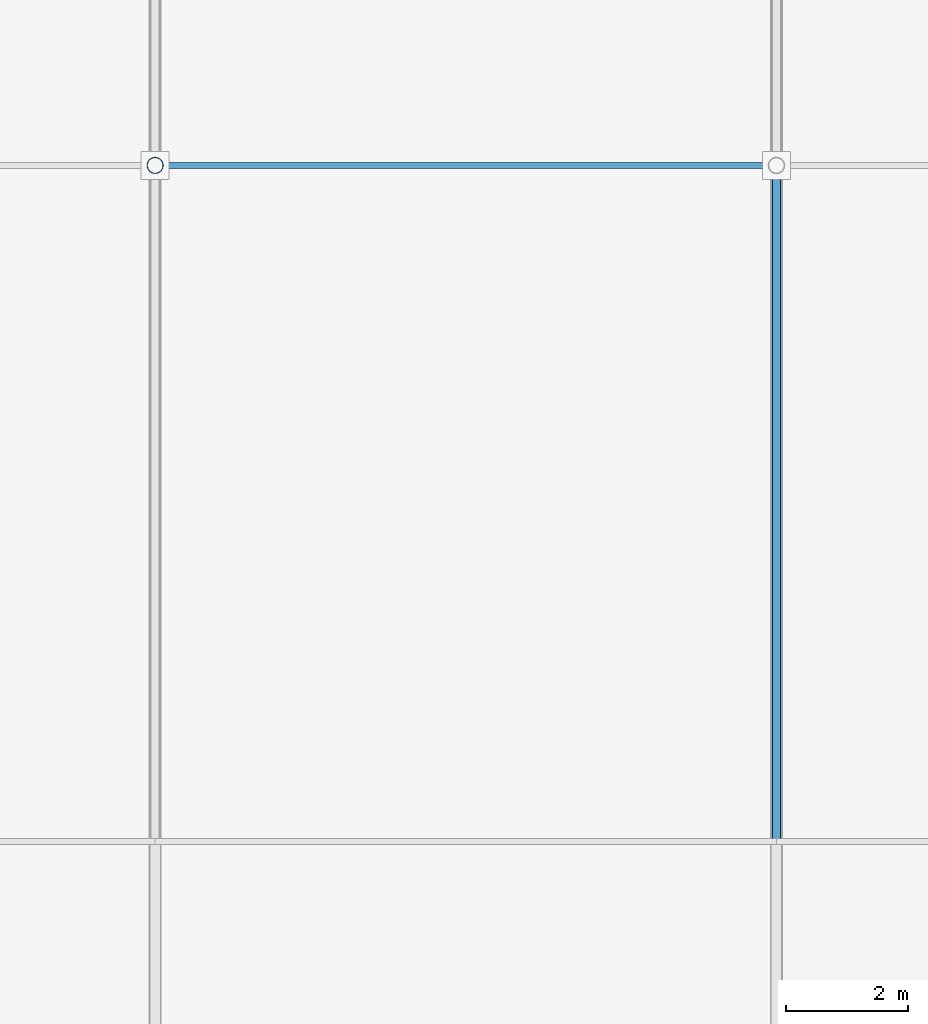
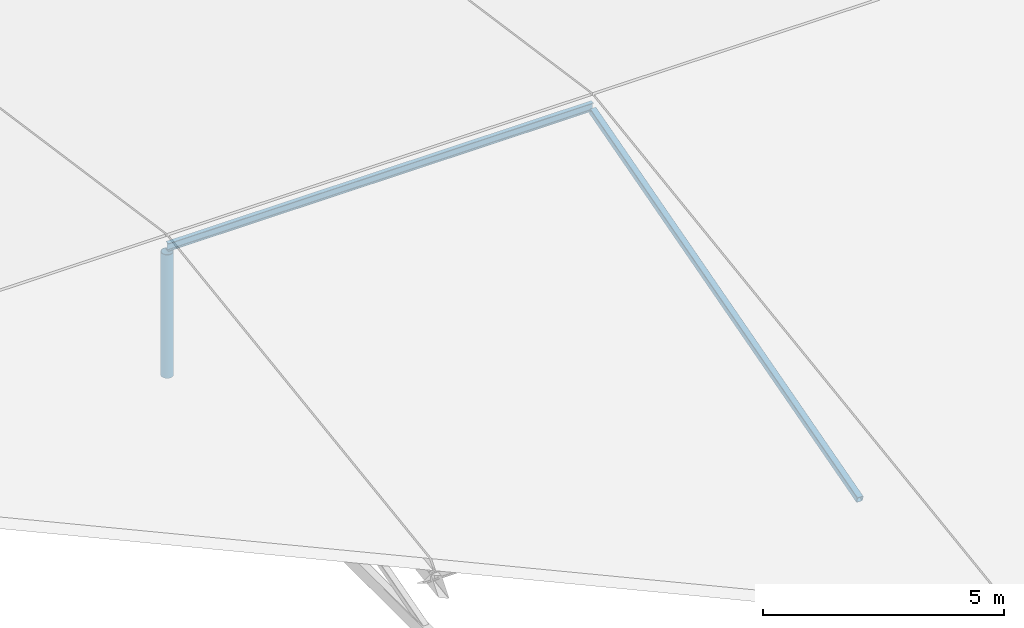
# One storey, part 85 of 135: 3 members.
"""IFC4 building model written with IfcOpenShell, lengths in metres."""

from ifc_helpers import new_model, si_unit, direction, frame, origin, origin_2d, place, context, subcontext, project, spatial, hollow_rectangle, hollow_circle, i_section, extrude, material, material_profile, profile_set, type_object, element, save


model = new_model("IFC4")

# Units and contexts
model_context = context("Model", 3, precision=1e-05, world=origin(), true_north=direction((0.0, 1.0)))
body_context = subcontext(model_context, "Body", "Model", "MODEL_VIEW")
ifc_project = project(units=[si_unit("LENGTHUNIT", "METRE"), si_unit("AREAUNIT", "SQUARE_METRE"), si_unit("VOLUMEUNIT", "CUBIC_METRE"), si_unit("PLANEANGLEUNIT", "RADIAN"), si_unit("MASSUNIT", "GRAM", prefix="KILO")], contexts=[model_context])

# Site, building, storey
site_placement = place(None, origin())
site = spatial("IfcSite", under=ifc_project, at=site_placement, CompositionType="ELEMENT")
building_placement = place(site_placement, origin())
building = spatial("IfcBuilding", under=site, at=building_placement, Name="Brelvane Convention Centre", CompositionType="ELEMENT")
storey_placement = place(building_placement, frame((0.0, 0.0, 15.0)))
storey = spatial("IfcBuildingStorey", under=building, at=storey_placement, Name="L03", CompositionType="ELEMENT", Elevation=15.0)

# Members
ifc_material_1 = material(Name="Steel E350 (350 MPa)", Category="steel")
ifc_material_profile_1 = material_profile(ifc_material_1, hollow_rectangle(XDim=0.14990234375, YDim=0.14990234375, WallThickness=0.008056640625, InnerFilletRadius=0.008056640625, OuterFilletRadius=0.01611328125, at=origin_2d()), Name="SHS 150x150x8.0")
ifc_profile_set_1 = profile_set([ifc_material_profile_1], Name="Steel E350 (350 MPa)")
member_type_1 = type_object("IfcMemberType", Name="Steel Brace TR-WB1 (SHS 150x150x8.0)", PredefinedType="BRACE", material=ifc_profile_set_1)
member_1_placement = place(storey_placement, frame((204.0, 110.699951171875, -0.35009765625), z_axis=(0.0, 0.96246484853, 0.271406365702), x_axis=(-1.0, 0.0, 0.0)))
element("IfcMember", 1, at=member_1_placement, inside=storey, type_object=member_type_1, Name="Ballroom Roof Truss Web 4-S", PredefinedType="BRACE", context=body_context, shape_type="SweptSolid", body=[
    extrude(hollow_rectangle(XDim=0.14990234375, YDim=0.14990234375, WallThickness=0.008056640625, InnerFilletRadius=0.008056640625, OuterFilletRadius=0.01611328125, at=origin_2d()), origin(), (0.0, 0.0, 1.0), 11.532958984375),
])
ifc_material_2 = material(Name="Steel E350 (350 MPa)", Category="steel")
ifc_material_profile_2 = material_profile(ifc_material_2, i_section(OverallWidth=0.10009765625, OverallDepth=0.199951171875, WebThickness=0.005615234375, FlangeThickness=0.0107421875, FilletRadius=0.010986328125, at=origin_2d()), Name="ISMB 200")
ifc_profile_set_2 = profile_set([ifc_material_profile_2], Name="Steel E350 (350 MPa)")
member_type_2 = type_object("IfcMemberType", Name="Steel Purlin PR-ST2 (ISMB 200)", PredefinedType="PURLIN", material=ifc_profile_set_2)
member_2_placement = place(storey_placement, frame((193.800048828125, 121.800048828125, 2.89990234375), z_axis=(1.0, 0.0, 0.0), x_axis=(0.0, 1.0, 0.0)))
element("IfcMember", 2, at=member_2_placement, inside=storey, type_object=member_type_2, Name="Ballroom Roof Purlin B3-P3", PredefinedType="PURLIN", context=body_context, shape_type="SweptSolid", body=[
    extrude(i_section(OverallWidth=0.10009765625, OverallDepth=0.199951171875, WebThickness=0.005615234375, FlangeThickness=0.0107421875, FilletRadius=0.010986328125, at=origin_2d()), origin(), (0.0, 0.0, 1.0), 10.199951171875),
])
ifc_material_3 = material(Name="Steel E350 (350 MPa)", Category="steel")
ifc_material_profile_3 = material_profile(ifc_material_3, hollow_circle(Radius=0.136474609375, WallThickness=0.012451171875, at=origin_2d()), Name="CHS 273.0x12.5")
ifc_profile_set_3 = profile_set([ifc_material_profile_3], Name="Steel E350 (350 MPa)")
member_type_3 = type_object("IfcMemberType", Name="Steel Strut SF-VT1 (CHS 273.0x12.5)", PredefinedType="STRUT", material=ifc_profile_set_3)
member_3_placement = place(storey_placement, frame((193.800048828125, 121.800048828125, -0.35009765625), z_axis=(0.0, 0.0, 1.0), x_axis=(1.0, 0.0, 0.0)))
element("IfcMember", 3, at=member_3_placement, inside=storey, type_object=member_type_3, Name="Ballroom Roof Truss Kingpost 3", PredefinedType="STRUT", context=body_context, shape_type="SweptSolid", body=[
    extrude(hollow_circle(Radius=0.136474609375, WallThickness=0.012451171875, at=origin_2d()), origin(), (0.0, 0.0, 1.0), 3.130126953125),
])

save(model, "model.ifc")
